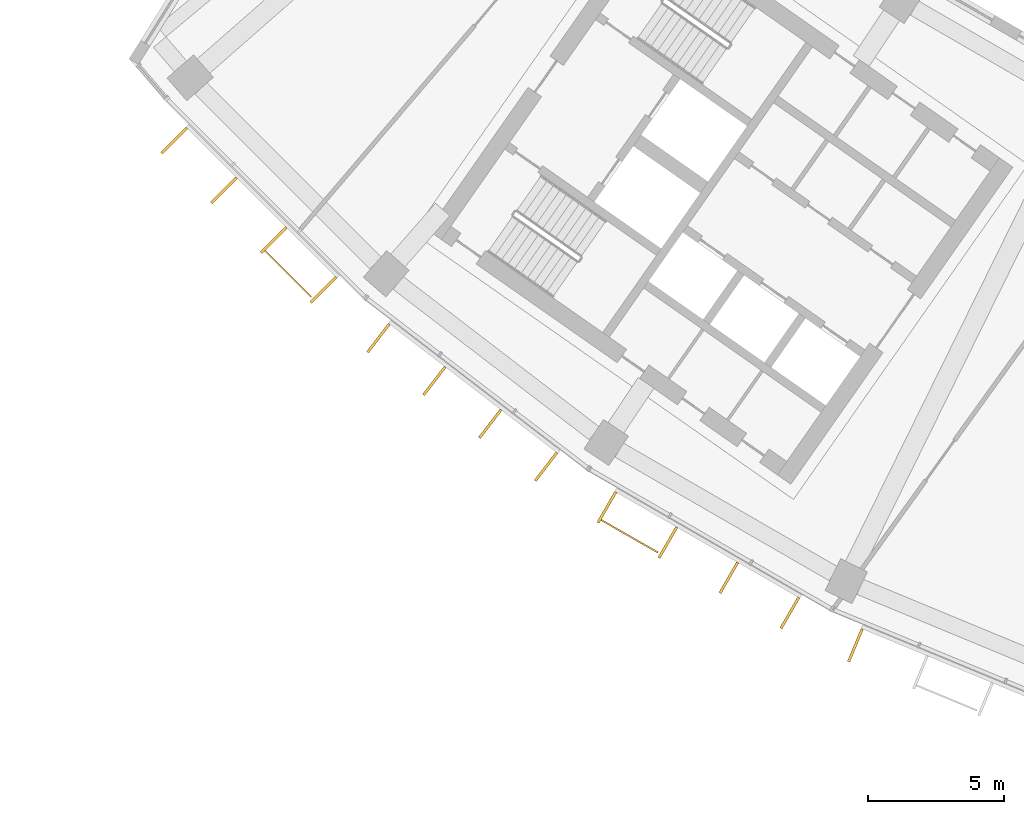
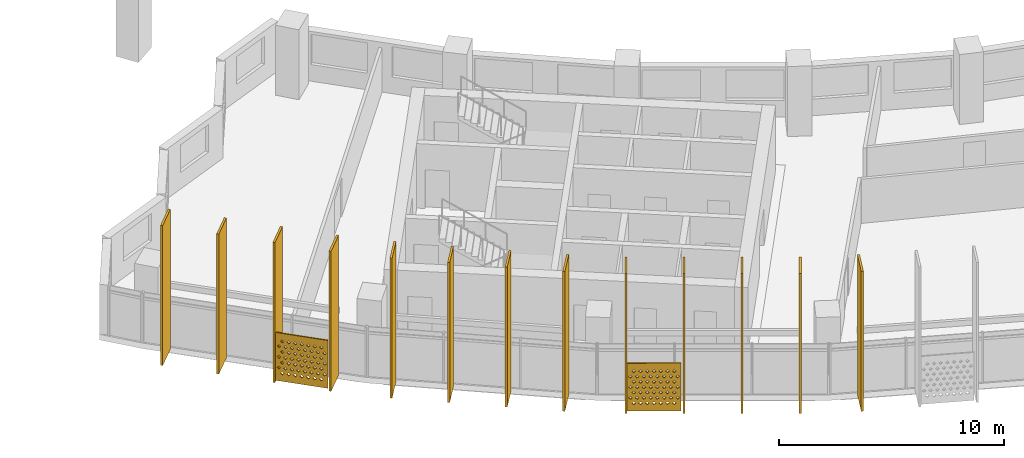
# One storey, part 21 of 26: 15 shading devices.
"""IFC4 building model written with IfcOpenShell, lengths in metres."""

from ifc_helpers import new_model, si_unit, direction, frame, origin, origin_2d, place, context, subcontext, project, spatial, polyline, rectangle, outline, extrude, material, material_profile, profile_set, type_object, element, save


model = new_model("IFC4")

# Units and contexts
model_context = context("Model", 3, precision=1e-05, world=origin(), true_north=direction((0.0, 1.0)))
body_context = subcontext(model_context, "Body", "Model", "MODEL_VIEW")
ifc_project = project(units=[si_unit("LENGTHUNIT", "METRE"), si_unit("AREAUNIT", "SQUARE_METRE"), si_unit("VOLUMEUNIT", "CUBIC_METRE"), si_unit("PLANEANGLEUNIT", "RADIAN"), si_unit("MASSUNIT", "GRAM", prefix="KILO")], contexts=[model_context])

# Site, building, storey
site_placement = place(None, origin())
site = spatial("IfcSite", under=ifc_project, at=site_placement, CompositionType="ELEMENT")
building_placement = place(site_placement, origin())
building = spatial("IfcBuilding", under=site, at=building_placement, Name="Qamariyya Broadcast Tower", CompositionType="ELEMENT")
storey_placement = place(building_placement, frame((0.0, 0.0, 156.89990234375)))
storey = spatial("IfcBuildingStorey", under=building, at=storey_placement, Name="L36", CompositionType="ELEMENT", Elevation=156.89990234375)

# Shading devices
ifc_material_1 = material(Name="Perforated glazed terracotta", Category="masonry")
ifc_material_profile_1 = material_profile(ifc_material_1, outline(polyline([(-1.199951171875, -1.300048828125), (1.199951171875, -1.300048828125), (1.199951171875, 1.300048828125), (-1.199951171875, 1.300048828125), (-1.199951171875, -1.300048828125)]), holes=[polyline([(-0.81494140625, -0.86669921875), (-0.89990234375, -0.78173828125), (-0.985107421875, -0.86669921875), (-0.89990234375, -0.95166015625), (-0.81494140625, -0.86669921875)]), polyline([(-0.514892578125, -0.86669921875), (-0.60009765625, -0.78173828125), (-0.68505859375, -0.86669921875), (-0.60009765625, -0.95166015625), (-0.514892578125, -0.86669921875)]), polyline([(-0.215087890625, -0.86669921875), (-0.300048828125, -0.78173828125), (-0.385009765625, -0.86669921875), (-0.300048828125, -0.95166015625), (-0.215087890625, -0.86669921875)]), polyline([(0.0849609375, -0.86669921875), (0.0, -0.78173828125), (-0.0849609375, -0.86669921875), (0.0, -0.95166015625), (0.0849609375, -0.86669921875)]), polyline([(0.385009765625, -0.86669921875), (0.300048828125, -0.78173828125), (0.215087890625, -0.86669921875), (0.300048828125, -0.95166015625), (0.385009765625, -0.86669921875)]), polyline([(0.68505859375, -0.86669921875), (0.60009765625, -0.78173828125), (0.514892578125, -0.86669921875), (0.60009765625, -0.95166015625), (0.68505859375, -0.86669921875)]), polyline([(0.985107421875, -0.86669921875), (0.89990234375, -0.78173828125), (0.81494140625, -0.86669921875), (0.89990234375, -0.95166015625), (0.985107421875, -0.86669921875)]), polyline([(-0.965087890625, -0.577880859375), (-1.050048828125, -0.49267578125), (-1.135009765625, -0.577880859375), (-1.050048828125, -0.662841796875), (-0.965087890625, -0.577880859375)]), polyline([(-0.6650390625, -0.577880859375), (-0.75, -0.49267578125), (-0.8349609375, -0.577880859375), (-0.75, -0.662841796875), (-0.6650390625, -0.577880859375)]), polyline([(-0.364990234375, -0.577880859375), (-0.449951171875, -0.49267578125), (-0.534912109375, -0.577880859375), (-0.449951171875, -0.662841796875), (-0.364990234375, -0.577880859375)]), polyline([(-0.06494140625, -0.577880859375), (-0.14990234375, -0.49267578125), (-0.235107421875, -0.577880859375), (-0.14990234375, -0.662841796875), (-0.06494140625, -0.577880859375)]), polyline([(0.235107421875, -0.577880859375), (0.14990234375, -0.49267578125), (0.06494140625, -0.577880859375), (0.14990234375, -0.662841796875), (0.235107421875, -0.577880859375)]), polyline([(0.534912109375, -0.577880859375), (0.449951171875, -0.49267578125), (0.364990234375, -0.577880859375), (0.449951171875, -0.662841796875), (0.534912109375, -0.577880859375)]), polyline([(0.8349609375, -0.577880859375), (0.75, -0.49267578125), (0.6650390625, -0.577880859375), (0.75, -0.662841796875), (0.8349609375, -0.577880859375)]), polyline([(1.135009765625, -0.577880859375), (1.050048828125, -0.49267578125), (0.965087890625, -0.577880859375), (1.050048828125, -0.662841796875), (1.135009765625, -0.577880859375)]), polyline([(-0.81494140625, -0.288818359375), (-0.89990234375, -0.203857421875), (-0.985107421875, -0.288818359375), (-0.89990234375, -0.373779296875), (-0.81494140625, -0.288818359375)]), polyline([(-0.514892578125, -0.288818359375), (-0.60009765625, -0.203857421875), (-0.68505859375, -0.288818359375), (-0.60009765625, -0.373779296875), (-0.514892578125, -0.288818359375)]), polyline([(-0.215087890625, -0.288818359375), (-0.300048828125, -0.203857421875), (-0.385009765625, -0.288818359375), (-0.300048828125, -0.373779296875), (-0.215087890625, -0.288818359375)]), polyline([(0.0849609375, -0.288818359375), (0.0, -0.203857421875), (-0.0849609375, -0.288818359375), (0.0, -0.373779296875), (0.0849609375, -0.288818359375)]), polyline([(0.385009765625, -0.288818359375), (0.300048828125, -0.203857421875), (0.215087890625, -0.288818359375), (0.300048828125, -0.373779296875), (0.385009765625, -0.288818359375)]), polyline([(0.68505859375, -0.288818359375), (0.60009765625, -0.203857421875), (0.514892578125, -0.288818359375), (0.60009765625, -0.373779296875), (0.68505859375, -0.288818359375)]), polyline([(0.985107421875, -0.288818359375), (0.89990234375, -0.203857421875), (0.81494140625, -0.288818359375), (0.89990234375, -0.373779296875), (0.985107421875, -0.288818359375)]), polyline([(-0.965087890625, 0.0), (-1.050048828125, 0.0849609375), (-1.135009765625, 0.0), (-1.050048828125, -0.0849609375), (-0.965087890625, 0.0)]), polyline([(-0.6650390625, 0.0), (-0.75, 0.0849609375), (-0.8349609375, 0.0), (-0.75, -0.0849609375), (-0.6650390625, 0.0)]), polyline([(-0.364990234375, 0.0), (-0.449951171875, 0.0849609375), (-0.534912109375, 0.0), (-0.449951171875, -0.0849609375), (-0.364990234375, 0.0)]), polyline([(-0.06494140625, 0.0), (-0.14990234375, 0.0849609375), (-0.235107421875, 0.0), (-0.14990234375, -0.0849609375), (-0.06494140625, 0.0)]), polyline([(0.235107421875, 0.0), (0.14990234375, 0.0849609375), (0.06494140625, 0.0), (0.14990234375, -0.0849609375), (0.235107421875, 0.0)]), polyline([(0.534912109375, 0.0), (0.449951171875, 0.0849609375), (0.364990234375, 0.0), (0.449951171875, -0.0849609375), (0.534912109375, 0.0)]), polyline([(0.8349609375, 0.0), (0.75, 0.0849609375), (0.6650390625, 0.0), (0.75, -0.0849609375), (0.8349609375, 0.0)]), polyline([(1.135009765625, 0.0), (1.050048828125, 0.0849609375), (0.965087890625, 0.0), (1.050048828125, -0.0849609375), (1.135009765625, 0.0)]), polyline([(-0.81494140625, 0.288818359375), (-0.89990234375, 0.373779296875), (-0.985107421875, 0.288818359375), (-0.89990234375, 0.203857421875), (-0.81494140625, 0.288818359375)]), polyline([(-0.514892578125, 0.288818359375), (-0.60009765625, 0.373779296875), (-0.68505859375, 0.288818359375), (-0.60009765625, 0.203857421875), (-0.514892578125, 0.288818359375)]), polyline([(-0.215087890625, 0.288818359375), (-0.300048828125, 0.373779296875), (-0.385009765625, 0.288818359375), (-0.300048828125, 0.203857421875), (-0.215087890625, 0.288818359375)]), polyline([(0.0849609375, 0.288818359375), (0.0, 0.373779296875), (-0.0849609375, 0.288818359375), (0.0, 0.203857421875), (0.0849609375, 0.288818359375)]), polyline([(0.385009765625, 0.288818359375), (0.300048828125, 0.373779296875), (0.215087890625, 0.288818359375), (0.300048828125, 0.203857421875), (0.385009765625, 0.288818359375)]), polyline([(0.68505859375, 0.288818359375), (0.60009765625, 0.373779296875), (0.514892578125, 0.288818359375), (0.60009765625, 0.203857421875), (0.68505859375, 0.288818359375)]), polyline([(0.985107421875, 0.288818359375), (0.89990234375, 0.373779296875), (0.81494140625, 0.288818359375), (0.89990234375, 0.203857421875), (0.985107421875, 0.288818359375)]), polyline([(-0.965087890625, 0.577880859375), (-1.050048828125, 0.662841796875), (-1.135009765625, 0.577880859375), (-1.050048828125, 0.49267578125), (-0.965087890625, 0.577880859375)]), polyline([(-0.6650390625, 0.577880859375), (-0.75, 0.662841796875), (-0.8349609375, 0.577880859375), (-0.75, 0.49267578125), (-0.6650390625, 0.577880859375)]), polyline([(-0.364990234375, 0.577880859375), (-0.449951171875, 0.662841796875), (-0.534912109375, 0.577880859375), (-0.449951171875, 0.49267578125), (-0.364990234375, 0.577880859375)]), polyline([(-0.06494140625, 0.577880859375), (-0.14990234375, 0.662841796875), (-0.235107421875, 0.577880859375), (-0.14990234375, 0.49267578125), (-0.06494140625, 0.577880859375)]), polyline([(0.235107421875, 0.577880859375), (0.14990234375, 0.662841796875), (0.06494140625, 0.577880859375), (0.14990234375, 0.49267578125), (0.235107421875, 0.577880859375)]), polyline([(0.534912109375, 0.577880859375), (0.449951171875, 0.662841796875), (0.364990234375, 0.577880859375), (0.449951171875, 0.49267578125), (0.534912109375, 0.577880859375)]), polyline([(0.8349609375, 0.577880859375), (0.75, 0.662841796875), (0.6650390625, 0.577880859375), (0.75, 0.49267578125), (0.8349609375, 0.577880859375)]), polyline([(1.135009765625, 0.577880859375), (1.050048828125, 0.662841796875), (0.965087890625, 0.577880859375), (1.050048828125, 0.49267578125), (1.135009765625, 0.577880859375)]), polyline([(-0.81494140625, 0.86669921875), (-0.89990234375, 0.95166015625), (-0.985107421875, 0.86669921875), (-0.89990234375, 0.78173828125), (-0.81494140625, 0.86669921875)]), polyline([(-0.514892578125, 0.86669921875), (-0.60009765625, 0.95166015625), (-0.68505859375, 0.86669921875), (-0.60009765625, 0.78173828125), (-0.514892578125, 0.86669921875)]), polyline([(-0.215087890625, 0.86669921875), (-0.300048828125, 0.95166015625), (-0.385009765625, 0.86669921875), (-0.300048828125, 0.78173828125), (-0.215087890625, 0.86669921875)]), polyline([(0.0849609375, 0.86669921875), (0.0, 0.95166015625), (-0.0849609375, 0.86669921875), (0.0, 0.78173828125), (0.0849609375, 0.86669921875)]), polyline([(0.385009765625, 0.86669921875), (0.300048828125, 0.95166015625), (0.215087890625, 0.86669921875), (0.300048828125, 0.78173828125), (0.385009765625, 0.86669921875)]), polyline([(0.68505859375, 0.86669921875), (0.60009765625, 0.95166015625), (0.514892578125, 0.86669921875), (0.60009765625, 0.78173828125), (0.68505859375, 0.86669921875)]), polyline([(0.985107421875, 0.86669921875), (0.89990234375, 0.95166015625), (0.81494140625, 0.86669921875), (0.89990234375, 0.78173828125), (0.985107421875, 0.86669921875)])]))
ifc_profile_set_1 = profile_set([ifc_material_profile_1], Name="Perforated glazed terracotta")
shading_device_type_1 = type_object("IfcShadingDeviceType", Name="Perforated terracotta screen 2400 x 2600", PredefinedType="USERDEFINED", material=ifc_profile_set_1)
shading_device_1_placement = place(storey_placement, frame((-54.842529296875, -58.43701171875, 1.35009765625), z_axis=(-0.707106781187, -0.707106781187, 0.0), x_axis=(0.707106781187, -0.707106781187, 0.0)))
element("IfcShadingDevice", 1, at=shading_device_1_placement, inside=storey, type_object=shading_device_type_1, Name="e-scr-L36-01-2", ObjectType="SCREEN", PredefinedType="USERDEFINED", context=body_context, shape_type="SweptSolid", body=[
    extrude(outline(polyline([(-1.199951171875, -1.300048828125), (1.199951171875, -1.300048828125), (1.199951171875, 1.300048828125), (-1.199951171875, 1.300048828125), (-1.199951171875, -1.300048828125)]), holes=[polyline([(-0.81494140625, -0.86669921875), (-0.89990234375, -0.78173828125), (-0.985107421875, -0.86669921875), (-0.89990234375, -0.95166015625), (-0.81494140625, -0.86669921875)]), polyline([(-0.514892578125, -0.86669921875), (-0.60009765625, -0.78173828125), (-0.68505859375, -0.86669921875), (-0.60009765625, -0.95166015625), (-0.514892578125, -0.86669921875)]), polyline([(-0.215087890625, -0.86669921875), (-0.300048828125, -0.78173828125), (-0.385009765625, -0.86669921875), (-0.300048828125, -0.95166015625), (-0.215087890625, -0.86669921875)]), polyline([(0.0849609375, -0.86669921875), (0.0, -0.78173828125), (-0.0849609375, -0.86669921875), (0.0, -0.95166015625), (0.0849609375, -0.86669921875)]), polyline([(0.385009765625, -0.86669921875), (0.300048828125, -0.78173828125), (0.215087890625, -0.86669921875), (0.300048828125, -0.95166015625), (0.385009765625, -0.86669921875)]), polyline([(0.68505859375, -0.86669921875), (0.60009765625, -0.78173828125), (0.514892578125, -0.86669921875), (0.60009765625, -0.95166015625), (0.68505859375, -0.86669921875)]), polyline([(0.985107421875, -0.86669921875), (0.89990234375, -0.78173828125), (0.81494140625, -0.86669921875), (0.89990234375, -0.95166015625), (0.985107421875, -0.86669921875)]), polyline([(-0.965087890625, -0.577880859375), (-1.050048828125, -0.49267578125), (-1.135009765625, -0.577880859375), (-1.050048828125, -0.662841796875), (-0.965087890625, -0.577880859375)]), polyline([(-0.6650390625, -0.577880859375), (-0.75, -0.49267578125), (-0.8349609375, -0.577880859375), (-0.75, -0.662841796875), (-0.6650390625, -0.577880859375)]), polyline([(-0.364990234375, -0.577880859375), (-0.449951171875, -0.49267578125), (-0.534912109375, -0.577880859375), (-0.449951171875, -0.662841796875), (-0.364990234375, -0.577880859375)]), polyline([(-0.06494140625, -0.577880859375), (-0.14990234375, -0.49267578125), (-0.235107421875, -0.577880859375), (-0.14990234375, -0.662841796875), (-0.06494140625, -0.577880859375)]), polyline([(0.235107421875, -0.577880859375), (0.14990234375, -0.49267578125), (0.06494140625, -0.577880859375), (0.14990234375, -0.662841796875), (0.235107421875, -0.577880859375)]), polyline([(0.534912109375, -0.577880859375), (0.449951171875, -0.49267578125), (0.364990234375, -0.577880859375), (0.449951171875, -0.662841796875), (0.534912109375, -0.577880859375)]), polyline([(0.8349609375, -0.577880859375), (0.75, -0.49267578125), (0.6650390625, -0.577880859375), (0.75, -0.662841796875), (0.8349609375, -0.577880859375)]), polyline([(1.135009765625, -0.577880859375), (1.050048828125, -0.49267578125), (0.965087890625, -0.577880859375), (1.050048828125, -0.662841796875), (1.135009765625, -0.577880859375)]), polyline([(-0.81494140625, -0.288818359375), (-0.89990234375, -0.203857421875), (-0.985107421875, -0.288818359375), (-0.89990234375, -0.373779296875), (-0.81494140625, -0.288818359375)]), polyline([(-0.514892578125, -0.288818359375), (-0.60009765625, -0.203857421875), (-0.68505859375, -0.288818359375), (-0.60009765625, -0.373779296875), (-0.514892578125, -0.288818359375)]), polyline([(-0.215087890625, -0.288818359375), (-0.300048828125, -0.203857421875), (-0.385009765625, -0.288818359375), (-0.300048828125, -0.373779296875), (-0.215087890625, -0.288818359375)]), polyline([(0.0849609375, -0.288818359375), (0.0, -0.203857421875), (-0.0849609375, -0.288818359375), (0.0, -0.373779296875), (0.0849609375, -0.288818359375)]), polyline([(0.385009765625, -0.288818359375), (0.300048828125, -0.203857421875), (0.215087890625, -0.288818359375), (0.300048828125, -0.373779296875), (0.385009765625, -0.288818359375)]), polyline([(0.68505859375, -0.288818359375), (0.60009765625, -0.203857421875), (0.514892578125, -0.288818359375), (0.60009765625, -0.373779296875), (0.68505859375, -0.288818359375)]), polyline([(0.985107421875, -0.288818359375), (0.89990234375, -0.203857421875), (0.81494140625, -0.288818359375), (0.89990234375, -0.373779296875), (0.985107421875, -0.288818359375)]), polyline([(-0.965087890625, 0.0), (-1.050048828125, 0.0849609375), (-1.135009765625, 0.0), (-1.050048828125, -0.0849609375), (-0.965087890625, 0.0)]), polyline([(-0.6650390625, 0.0), (-0.75, 0.0849609375), (-0.8349609375, 0.0), (-0.75, -0.0849609375), (-0.6650390625, 0.0)]), polyline([(-0.364990234375, 0.0), (-0.449951171875, 0.0849609375), (-0.534912109375, 0.0), (-0.449951171875, -0.0849609375), (-0.364990234375, 0.0)]), polyline([(-0.06494140625, 0.0), (-0.14990234375, 0.0849609375), (-0.235107421875, 0.0), (-0.14990234375, -0.0849609375), (-0.06494140625, 0.0)]), polyline([(0.235107421875, 0.0), (0.14990234375, 0.0849609375), (0.06494140625, 0.0), (0.14990234375, -0.0849609375), (0.235107421875, 0.0)]), polyline([(0.534912109375, 0.0), (0.449951171875, 0.0849609375), (0.364990234375, 0.0), (0.449951171875, -0.0849609375), (0.534912109375, 0.0)]), polyline([(0.8349609375, 0.0), (0.75, 0.0849609375), (0.6650390625, 0.0), (0.75, -0.0849609375), (0.8349609375, 0.0)]), polyline([(1.135009765625, 0.0), (1.050048828125, 0.0849609375), (0.965087890625, 0.0), (1.050048828125, -0.0849609375), (1.135009765625, 0.0)]), polyline([(-0.81494140625, 0.288818359375), (-0.89990234375, 0.373779296875), (-0.985107421875, 0.288818359375), (-0.89990234375, 0.203857421875), (-0.81494140625, 0.288818359375)]), polyline([(-0.514892578125, 0.288818359375), (-0.60009765625, 0.373779296875), (-0.68505859375, 0.288818359375), (-0.60009765625, 0.203857421875), (-0.514892578125, 0.288818359375)]), polyline([(-0.215087890625, 0.288818359375), (-0.300048828125, 0.373779296875), (-0.385009765625, 0.288818359375), (-0.300048828125, 0.203857421875), (-0.215087890625, 0.288818359375)]), polyline([(0.0849609375, 0.288818359375), (0.0, 0.373779296875), (-0.0849609375, 0.288818359375), (0.0, 0.203857421875), (0.0849609375, 0.288818359375)]), polyline([(0.385009765625, 0.288818359375), (0.300048828125, 0.373779296875), (0.215087890625, 0.288818359375), (0.300048828125, 0.203857421875), (0.385009765625, 0.288818359375)]), polyline([(0.68505859375, 0.288818359375), (0.60009765625, 0.373779296875), (0.514892578125, 0.288818359375), (0.60009765625, 0.203857421875), (0.68505859375, 0.288818359375)]), polyline([(0.985107421875, 0.288818359375), (0.89990234375, 0.373779296875), (0.81494140625, 0.288818359375), (0.89990234375, 0.203857421875), (0.985107421875, 0.288818359375)]), polyline([(-0.965087890625, 0.577880859375), (-1.050048828125, 0.662841796875), (-1.135009765625, 0.577880859375), (-1.050048828125, 0.49267578125), (-0.965087890625, 0.577880859375)]), polyline([(-0.6650390625, 0.577880859375), (-0.75, 0.662841796875), (-0.8349609375, 0.577880859375), (-0.75, 0.49267578125), (-0.6650390625, 0.577880859375)]), polyline([(-0.364990234375, 0.577880859375), (-0.449951171875, 0.662841796875), (-0.534912109375, 0.577880859375), (-0.449951171875, 0.49267578125), (-0.364990234375, 0.577880859375)]), polyline([(-0.06494140625, 0.577880859375), (-0.14990234375, 0.662841796875), (-0.235107421875, 0.577880859375), (-0.14990234375, 0.49267578125), (-0.06494140625, 0.577880859375)]), polyline([(0.235107421875, 0.577880859375), (0.14990234375, 0.662841796875), (0.06494140625, 0.577880859375), (0.14990234375, 0.49267578125), (0.235107421875, 0.577880859375)]), polyline([(0.534912109375, 0.577880859375), (0.449951171875, 0.662841796875), (0.364990234375, 0.577880859375), (0.449951171875, 0.49267578125), (0.534912109375, 0.577880859375)]), polyline([(0.8349609375, 0.577880859375), (0.75, 0.662841796875), (0.6650390625, 0.577880859375), (0.75, 0.49267578125), (0.8349609375, 0.577880859375)]), polyline([(1.135009765625, 0.577880859375), (1.050048828125, 0.662841796875), (0.965087890625, 0.577880859375), (1.050048828125, 0.49267578125), (1.135009765625, 0.577880859375)]), polyline([(-0.81494140625, 0.86669921875), (-0.89990234375, 0.95166015625), (-0.985107421875, 0.86669921875), (-0.89990234375, 0.78173828125), (-0.81494140625, 0.86669921875)]), polyline([(-0.514892578125, 0.86669921875), (-0.60009765625, 0.95166015625), (-0.68505859375, 0.86669921875), (-0.60009765625, 0.78173828125), (-0.514892578125, 0.86669921875)]), polyline([(-0.215087890625, 0.86669921875), (-0.300048828125, 0.95166015625), (-0.385009765625, 0.86669921875), (-0.300048828125, 0.78173828125), (-0.215087890625, 0.86669921875)]), polyline([(0.0849609375, 0.86669921875), (0.0, 0.95166015625), (-0.0849609375, 0.86669921875), (0.0, 0.78173828125), (0.0849609375, 0.86669921875)]), polyline([(0.385009765625, 0.86669921875), (0.300048828125, 0.95166015625), (0.215087890625, 0.86669921875), (0.300048828125, 0.78173828125), (0.385009765625, 0.86669921875)]), polyline([(0.68505859375, 0.86669921875), (0.60009765625, 0.95166015625), (0.514892578125, 0.86669921875), (0.60009765625, 0.78173828125), (0.68505859375, 0.86669921875)]), polyline([(0.985107421875, 0.86669921875), (0.89990234375, 0.95166015625), (0.81494140625, 0.86669921875), (0.89990234375, 0.78173828125), (0.985107421875, 0.86669921875)])]), origin(), (0.0, 0.0, 1.0), 0.06005859375),
])
shading_device_2_placement = place(storey_placement, frame((-42.323974609375, -68.056884765625, 1.35009765625), z_axis=(-0.497016140981, -0.86774129532, 0.0), x_axis=(0.86774129532, -0.497016140981, 0.0)))
element("IfcShadingDevice", 2, at=shading_device_2_placement, inside=storey, type_object=shading_device_type_1, Name="e-scr-L36-03-0", ObjectType="SCREEN", PredefinedType="USERDEFINED", context=body_context, shape_type="SweptSolid", body=[
    extrude(outline(polyline([(-1.199951171875, -1.300048828125), (1.199951171875, -1.300048828125), (1.199951171875, 1.300048828125), (-1.199951171875, 1.300048828125), (-1.199951171875, -1.300048828125)]), holes=[polyline([(-0.81494140625, -0.86669921875), (-0.89990234375, -0.78173828125), (-0.985107421875, -0.86669921875), (-0.89990234375, -0.95166015625), (-0.81494140625, -0.86669921875)]), polyline([(-0.514892578125, -0.86669921875), (-0.60009765625, -0.78173828125), (-0.68505859375, -0.86669921875), (-0.60009765625, -0.95166015625), (-0.514892578125, -0.86669921875)]), polyline([(-0.215087890625, -0.86669921875), (-0.300048828125, -0.78173828125), (-0.385009765625, -0.86669921875), (-0.300048828125, -0.95166015625), (-0.215087890625, -0.86669921875)]), polyline([(0.0849609375, -0.86669921875), (0.0, -0.78173828125), (-0.0849609375, -0.86669921875), (0.0, -0.95166015625), (0.0849609375, -0.86669921875)]), polyline([(0.385009765625, -0.86669921875), (0.300048828125, -0.78173828125), (0.215087890625, -0.86669921875), (0.300048828125, -0.95166015625), (0.385009765625, -0.86669921875)]), polyline([(0.68505859375, -0.86669921875), (0.60009765625, -0.78173828125), (0.514892578125, -0.86669921875), (0.60009765625, -0.95166015625), (0.68505859375, -0.86669921875)]), polyline([(0.985107421875, -0.86669921875), (0.89990234375, -0.78173828125), (0.81494140625, -0.86669921875), (0.89990234375, -0.95166015625), (0.985107421875, -0.86669921875)]), polyline([(-0.965087890625, -0.577880859375), (-1.050048828125, -0.49267578125), (-1.135009765625, -0.577880859375), (-1.050048828125, -0.662841796875), (-0.965087890625, -0.577880859375)]), polyline([(-0.6650390625, -0.577880859375), (-0.75, -0.49267578125), (-0.8349609375, -0.577880859375), (-0.75, -0.662841796875), (-0.6650390625, -0.577880859375)]), polyline([(-0.364990234375, -0.577880859375), (-0.449951171875, -0.49267578125), (-0.534912109375, -0.577880859375), (-0.449951171875, -0.662841796875), (-0.364990234375, -0.577880859375)]), polyline([(-0.06494140625, -0.577880859375), (-0.14990234375, -0.49267578125), (-0.235107421875, -0.577880859375), (-0.14990234375, -0.662841796875), (-0.06494140625, -0.577880859375)]), polyline([(0.235107421875, -0.577880859375), (0.14990234375, -0.49267578125), (0.06494140625, -0.577880859375), (0.14990234375, -0.662841796875), (0.235107421875, -0.577880859375)]), polyline([(0.534912109375, -0.577880859375), (0.449951171875, -0.49267578125), (0.364990234375, -0.577880859375), (0.449951171875, -0.662841796875), (0.534912109375, -0.577880859375)]), polyline([(0.8349609375, -0.577880859375), (0.75, -0.49267578125), (0.6650390625, -0.577880859375), (0.75, -0.662841796875), (0.8349609375, -0.577880859375)]), polyline([(1.135009765625, -0.577880859375), (1.050048828125, -0.49267578125), (0.965087890625, -0.577880859375), (1.050048828125, -0.662841796875), (1.135009765625, -0.577880859375)]), polyline([(-0.81494140625, -0.288818359375), (-0.89990234375, -0.203857421875), (-0.985107421875, -0.288818359375), (-0.89990234375, -0.373779296875), (-0.81494140625, -0.288818359375)]), polyline([(-0.514892578125, -0.288818359375), (-0.60009765625, -0.203857421875), (-0.68505859375, -0.288818359375), (-0.60009765625, -0.373779296875), (-0.514892578125, -0.288818359375)]), polyline([(-0.215087890625, -0.288818359375), (-0.300048828125, -0.203857421875), (-0.385009765625, -0.288818359375), (-0.300048828125, -0.373779296875), (-0.215087890625, -0.288818359375)]), polyline([(0.0849609375, -0.288818359375), (0.0, -0.203857421875), (-0.0849609375, -0.288818359375), (0.0, -0.373779296875), (0.0849609375, -0.288818359375)]), polyline([(0.385009765625, -0.288818359375), (0.300048828125, -0.203857421875), (0.215087890625, -0.288818359375), (0.300048828125, -0.373779296875), (0.385009765625, -0.288818359375)]), polyline([(0.68505859375, -0.288818359375), (0.60009765625, -0.203857421875), (0.514892578125, -0.288818359375), (0.60009765625, -0.373779296875), (0.68505859375, -0.288818359375)]), polyline([(0.985107421875, -0.288818359375), (0.89990234375, -0.203857421875), (0.81494140625, -0.288818359375), (0.89990234375, -0.373779296875), (0.985107421875, -0.288818359375)]), polyline([(-0.965087890625, 0.0), (-1.050048828125, 0.0849609375), (-1.135009765625, 0.0), (-1.050048828125, -0.0849609375), (-0.965087890625, 0.0)]), polyline([(-0.6650390625, 0.0), (-0.75, 0.0849609375), (-0.8349609375, 0.0), (-0.75, -0.0849609375), (-0.6650390625, 0.0)]), polyline([(-0.364990234375, 0.0), (-0.449951171875, 0.0849609375), (-0.534912109375, 0.0), (-0.449951171875, -0.0849609375), (-0.364990234375, 0.0)]), polyline([(-0.06494140625, 0.0), (-0.14990234375, 0.0849609375), (-0.235107421875, 0.0), (-0.14990234375, -0.0849609375), (-0.06494140625, 0.0)]), polyline([(0.235107421875, 0.0), (0.14990234375, 0.0849609375), (0.06494140625, 0.0), (0.14990234375, -0.0849609375), (0.235107421875, 0.0)]), polyline([(0.534912109375, 0.0), (0.449951171875, 0.0849609375), (0.364990234375, 0.0), (0.449951171875, -0.0849609375), (0.534912109375, 0.0)]), polyline([(0.8349609375, 0.0), (0.75, 0.0849609375), (0.6650390625, 0.0), (0.75, -0.0849609375), (0.8349609375, 0.0)]), polyline([(1.135009765625, 0.0), (1.050048828125, 0.0849609375), (0.965087890625, 0.0), (1.050048828125, -0.0849609375), (1.135009765625, 0.0)]), polyline([(-0.81494140625, 0.288818359375), (-0.89990234375, 0.373779296875), (-0.985107421875, 0.288818359375), (-0.89990234375, 0.203857421875), (-0.81494140625, 0.288818359375)]), polyline([(-0.514892578125, 0.288818359375), (-0.60009765625, 0.373779296875), (-0.68505859375, 0.288818359375), (-0.60009765625, 0.203857421875), (-0.514892578125, 0.288818359375)]), polyline([(-0.215087890625, 0.288818359375), (-0.300048828125, 0.373779296875), (-0.385009765625, 0.288818359375), (-0.300048828125, 0.203857421875), (-0.215087890625, 0.288818359375)]), polyline([(0.0849609375, 0.288818359375), (0.0, 0.373779296875), (-0.0849609375, 0.288818359375), (0.0, 0.203857421875), (0.0849609375, 0.288818359375)]), polyline([(0.385009765625, 0.288818359375), (0.300048828125, 0.373779296875), (0.215087890625, 0.288818359375), (0.300048828125, 0.203857421875), (0.385009765625, 0.288818359375)]), polyline([(0.68505859375, 0.288818359375), (0.60009765625, 0.373779296875), (0.514892578125, 0.288818359375), (0.60009765625, 0.203857421875), (0.68505859375, 0.288818359375)]), polyline([(0.985107421875, 0.288818359375), (0.89990234375, 0.373779296875), (0.81494140625, 0.288818359375), (0.89990234375, 0.203857421875), (0.985107421875, 0.288818359375)]), polyline([(-0.965087890625, 0.577880859375), (-1.050048828125, 0.662841796875), (-1.135009765625, 0.577880859375), (-1.050048828125, 0.49267578125), (-0.965087890625, 0.577880859375)]), polyline([(-0.6650390625, 0.577880859375), (-0.75, 0.662841796875), (-0.8349609375, 0.577880859375), (-0.75, 0.49267578125), (-0.6650390625, 0.577880859375)]), polyline([(-0.364990234375, 0.577880859375), (-0.449951171875, 0.662841796875), (-0.534912109375, 0.577880859375), (-0.449951171875, 0.49267578125), (-0.364990234375, 0.577880859375)]), polyline([(-0.06494140625, 0.577880859375), (-0.14990234375, 0.662841796875), (-0.235107421875, 0.577880859375), (-0.14990234375, 0.49267578125), (-0.06494140625, 0.577880859375)]), polyline([(0.235107421875, 0.577880859375), (0.14990234375, 0.662841796875), (0.06494140625, 0.577880859375), (0.14990234375, 0.49267578125), (0.235107421875, 0.577880859375)]), polyline([(0.534912109375, 0.577880859375), (0.449951171875, 0.662841796875), (0.364990234375, 0.577880859375), (0.449951171875, 0.49267578125), (0.534912109375, 0.577880859375)]), polyline([(0.8349609375, 0.577880859375), (0.75, 0.662841796875), (0.6650390625, 0.577880859375), (0.75, 0.49267578125), (0.8349609375, 0.577880859375)]), polyline([(1.135009765625, 0.577880859375), (1.050048828125, 0.662841796875), (0.965087890625, 0.577880859375), (1.050048828125, 0.49267578125), (1.135009765625, 0.577880859375)]), polyline([(-0.81494140625, 0.86669921875), (-0.89990234375, 0.95166015625), (-0.985107421875, 0.86669921875), (-0.89990234375, 0.78173828125), (-0.81494140625, 0.86669921875)]), polyline([(-0.514892578125, 0.86669921875), (-0.60009765625, 0.95166015625), (-0.68505859375, 0.86669921875), (-0.60009765625, 0.78173828125), (-0.514892578125, 0.86669921875)]), polyline([(-0.215087890625, 0.86669921875), (-0.300048828125, 0.95166015625), (-0.385009765625, 0.86669921875), (-0.300048828125, 0.78173828125), (-0.215087890625, 0.86669921875)]), polyline([(0.0849609375, 0.86669921875), (0.0, 0.95166015625), (-0.0849609375, 0.86669921875), (0.0, 0.78173828125), (0.0849609375, 0.86669921875)]), polyline([(0.385009765625, 0.86669921875), (0.300048828125, 0.95166015625), (0.215087890625, 0.86669921875), (0.300048828125, 0.78173828125), (0.385009765625, 0.86669921875)]), polyline([(0.68505859375, 0.86669921875), (0.60009765625, 0.95166015625), (0.514892578125, 0.86669921875), (0.60009765625, 0.78173828125), (0.68505859375, 0.86669921875)]), polyline([(0.985107421875, 0.86669921875), (0.89990234375, 0.95166015625), (0.81494140625, 0.86669921875), (0.89990234375, 0.78173828125), (0.985107421875, 0.86669921875)])]), origin(), (0.0, 0.0, 1.0), 0.059814453125),
])
ifc_material_2 = material(Name="Glazed terracotta", Category="masonry")
ifc_material_profile_2 = material_profile(ifc_material_2, rectangle(XDim=1.300048828125, YDim=0.10009765625, at=origin_2d()))
ifc_profile_set_2 = profile_set([ifc_material_profile_2], Name="Glazed terracotta")
shading_device_type_2 = type_object("IfcShadingDeviceType", Name="Terracotta fin 100 x 1300", PredefinedType="USERDEFINED", material=ifc_profile_set_2)
for number, where, z_axis, x_axis, name in (
    (3, (-59.047607421875, -53.5673828125, 0.0), (0.0, 0.0, 1.0), (-0.707106781187, -0.707106781187, 0.0), "e-fin-L36-01-0"),
    (4, (-57.220947265625, -55.39404296875, 0.0), (0.0, 0.0, 1.0), (-0.707106781187, -0.707106781187, 0.0), "e-fin-L36-01-1"),
    (5, (-55.39404296875, -57.220947265625, 0.0), (0.0, 0.0, 1.0), (-0.707106781187, -0.707106781187, 0.0), "e-fin-L36-01-2"),
    (6, (-53.5673828125, -59.047607421875, 0.0), (0.0, 0.0, 1.0), (-0.707106781187, -0.707106781187, 0.0), "e-fin-L36-01-3"),
    (7, (-51.550537109375, -60.81640625, 0.0), (0.0, 0.0, 1.0), (-0.608761429009, -0.793353340291, 0.0), "e-fin-L36-02-0"),
    (8, (-49.5009765625, -62.38916015625, 0.0), (0.0, 0.0, 1.0), (-0.608761429009, -0.793353340291, 0.0), "e-fin-L36-02-1"),
    (9, (-47.451416015625, -63.961669921875, 0.0), (0.0, 0.0, 1.0), (-0.608761429009, -0.793353340291, 0.0), "e-fin-L36-02-2"),
    (10, (-45.40185546875, -65.534423828125, 0.0), (0.0, 0.0, 1.0), (-0.608761429009, -0.793353340291, 0.0), "e-fin-L36-02-3"),
    (11, (-43.17138671875, -67.024658203125, 0.0), (0.0, 0.0, 1.0), (-0.5, -0.866025403784, 0.0), "e-fin-L36-03-0"),
    (12, (-40.93408203125, -68.31640625, 0.0), (0.0, 0.0, 1.0), (-0.5, -0.866025403784, 0.0), "e-fin-L36-03-1"),
    (13, (-38.69677734375, -69.608154296875, 0.0), (0.0, 0.0, 1.0), (-0.5, -0.866025403784, 0.0), "e-fin-L36-03-2"),
    (14, (-36.45947265625, -70.89990234375, 0.0), (0.0, 0.0, 1.0), (-0.5, -0.866025403784, 0.0), "e-fin-L36-03-3"),
    (15, (-34.053466796875, -72.08642578125, 0.0), (0.0, 0.0, 1.0), (-0.382683432365, -0.923879532511, 0.0), "e-fin-L36-04-0"),
):
    element("IfcShadingDevice", number, at=place(storey_placement, frame(where, z_axis=z_axis, x_axis=x_axis)), inside=storey, type_object=shading_device_type_2, Name=name, ObjectType="FIN", PredefinedType="USERDEFINED", context=body_context, shape_type="SweptSolid", body=[
        extrude(rectangle(XDim=1.300048828125, YDim=0.10009765625, at=origin_2d()), origin(), (0.0, 0.0, 1.0), 7.60009765625),
    ])

save(model, "model.ifc")
